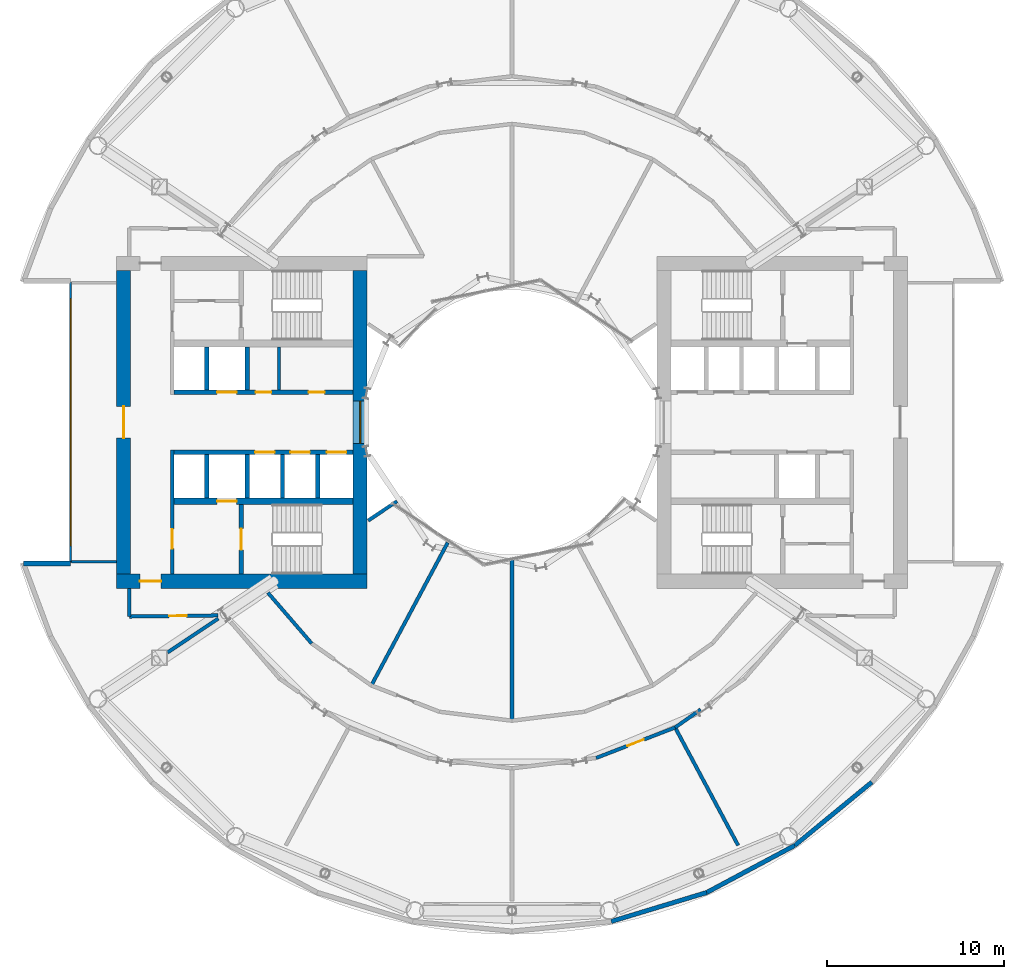
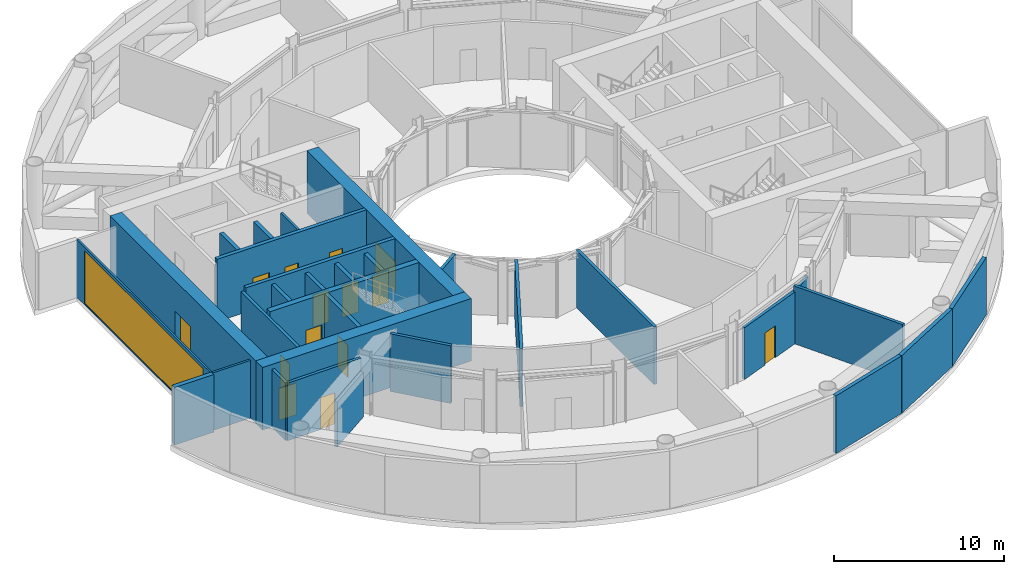
# One storey, part 10 of 15: 31 walls, 13 doors, 2 windows, 15 openings.
"""IFC4 building model written with IfcOpenShell, lengths in metres."""

import ifcopenshell
import ifcopenshell.guid

model = None  # the IFC model being written
_history = None  # IfcOwnerHistory: only IFC2X3 demands one
_inside = {}  # id of a spatial element -> (the spatial element, [elements in it])
_under = {}  # id of a project, library or spatial element -> (it, [spatial elements below it])
_declared = {}  # id of a project -> (the project, [libraries it declares])
_typed = {}  # id of a type object -> (the type object, [elements of that type])
_made_of = {}  # id of a material, layer set ... -> (it, [elements and type objects made of it])


def new_model(schema):
    """Start an empty IFC model of exactly this schema.

    Asked for "IFC4X3", IfcOpenShell would pick the latest addendum, in which some entities
    have other attributes; the version numbers below select the first issue.
    IFC2X3 requires an IfcOwnerHistory on every rooted entity: one is made here for all.
    """
    global model, _history
    if schema == "IFC4X3":
        model = ifcopenshell.file(schema_version=(4, 3, 0, 0))
    else:
        model = ifcopenshell.file(schema=schema)
    _inside.clear()
    _under.clear()
    _declared.clear()
    _typed.clear()
    _made_of.clear()
    _history = None
    if model.schema == "IFC2X3":
        org = make("IfcOrganization", Name="unknown")
        user = make(
            "IfcPersonAndOrganization",
            ThePerson=make("IfcPerson", FamilyName="unknown"),
            TheOrganization=org,
        )
        app = make(
            "IfcApplication",
            ApplicationDeveloper=org,
            Version="unknown",
            ApplicationFullName="unknown",
            ApplicationIdentifier="unknown",
        )
        _history = make(
            "IfcOwnerHistory",
            OwningUser=user,
            OwningApplication=app,
            ChangeAction="ADDED",
            CreationDate=0,
        )
    return model


def make(cls, **values):
    """One entity of the class cls with the attributes given. An attribute that is None is left unset."""
    return model.create_entity(
        cls, **{name: value for name, value in values.items() if value is not None}
    )


def rooted(cls, **values):
    """An entity with a GlobalId (a new one), such as an element, a storey or a relation."""
    return make(cls, GlobalId=ifcopenshell.guid.new(), OwnerHistory=_history, **values)


def si_unit(unit_type, name, prefix=None):
    """IfcSIUnit, for example si_unit("LENGTHUNIT", "METRE", prefix="MILLI")."""
    return make("IfcSIUnit", UnitType=unit_type, Prefix=prefix, Name=name)


def assignment(units):
    """IfcUnitAssignment: the units of a project."""
    return None if units is None else make("IfcUnitAssignment", Units=units)


def point(xyz):
    """IfcCartesianPoint."""
    return None if xyz is None else make("IfcCartesianPoint", Coordinates=xyz)


def direction(xyz):
    """IfcDirection."""
    return None if xyz is None else make("IfcDirection", DirectionRatios=xyz)


def frame(location, z_axis=None, x_axis=None):
    """IfcAxis2Placement3D, a coordinate frame: its origin and axes. An axis left out is left unset."""
    return make(
        "IfcAxis2Placement3D",
        Location=point(location),
        Axis=direction(z_axis),
        RefDirection=direction(x_axis),
    )


def frame_2d(location, x_axis=None):
    """IfcAxis2Placement2D, a coordinate frame in the plane: its origin and x axis."""
    return make(
        "IfcAxis2Placement2D", Location=point(location), RefDirection=direction(x_axis)
    )


def origin():
    """The frame at (0, 0, 0) with its axes left unset."""
    return frame((0.0, 0.0, 0.0))


def place(relative_to, where):
    """IfcLocalPlacement: puts the frame where relative to a parent placement (None: the world)."""
    return make(
        "IfcLocalPlacement", PlacementRelTo=relative_to, RelativePlacement=where
    )


def context(
    kind, dimensions, precision=None, world=None, true_north=None, identifier=None
):
    """IfcGeometricRepresentationContext, for example the 3D "Model" context."""
    return make(
        "IfcGeometricRepresentationContext",
        ContextIdentifier=identifier,
        ContextType=kind,
        CoordinateSpaceDimension=dimensions,
        Precision=precision,
        WorldCoordinateSystem=world,
        TrueNorth=true_north,
    )


def subcontext(parent, identifier, kind, view, scale=None):
    """IfcGeometricRepresentationSubContext, for example "Body" below "Model"."""
    return make(
        "IfcGeometricRepresentationSubContext",
        ContextIdentifier=identifier,
        ContextType=kind,
        ParentContext=parent,
        TargetScale=scale,
        TargetView=view,
    )


def project(units=None, contexts=None):
    """IfcProject with its units and contexts."""
    return rooted(
        "IfcProject",
        Name="project",
        RepresentationContexts=contexts,
        UnitsInContext=assignment(units),
    )


def spatial(cls, under=None, at=None, **own):
    """A site, building, storey or space (cls), placed at a placement, below another one or the project."""
    s = rooted(cls, ObjectPlacement=at, **own)
    if under is not None:
        _under.setdefault(under.id(), (under, []))[1].append(s)
    return s


def profile(cls, at=None, kind="AREA", **sizes):
    """A parametric profile (cls). Its sizes go by their IFC names, for example OverallWidth=200.0."""
    return make(cls, ProfileType=kind, Position=at, **sizes)


def rectangle(**sizes):
    """IfcRectangleProfileDef."""
    return profile("IfcRectangleProfileDef", **sizes)


def extrude(swept, where, along, depth):
    """IfcExtrudedAreaSolid: the profile swept, set in the frame where, extruded along a direction by depth."""
    return make(
        "IfcExtrudedAreaSolid",
        SweptArea=swept,
        Position=where,
        ExtrudedDirection=direction(along),
        Depth=depth,
    )


def shape(context_of_items, identifier, shape_type, items):
    """IfcShapeRepresentation: the items that make up one representation, for example the "Body"."""
    return make(
        "IfcShapeRepresentation",
        ContextOfItems=context_of_items,
        RepresentationIdentifier=identifier,
        RepresentationType=shape_type,
        Items=items,
    )


def material(Name=None, Category=None):
    """IfcMaterial."""
    return make("IfcMaterial", Name=Name, Category=Category)


def layer(
    of_material, thickness, ventilated=None, Name=None, Category=None, Priority=None
):
    """IfcMaterialLayer: one layer of a wall or slab, of a material (None: an air gap)."""
    return make(
        "IfcMaterialLayer",
        Material=of_material,
        LayerThickness=thickness,
        IsVentilated=ventilated,
        Name=Name,
        Category=Category,
        Priority=Priority,
    )


def layer_set(layers, Name=None):
    """IfcMaterialLayerSet."""
    return make("IfcMaterialLayerSet", MaterialLayers=layers, LayerSetName=Name)


def made_of(thing, what):
    """Note that an element or type object is made of a material, layer set ...; save() writes the relation."""
    if what is not None:
        _made_of.setdefault(what.id(), (what, []))[1].append(thing)
    return thing


def type_object(cls, material=None, **own):
    """A type object (cls), such as IfcWallType, which elements share."""
    return made_of(rooted(cls, **own), material)


def element(
    cls,
    number,
    at=None,
    inside=None,
    cuts=None,
    type_object=None,
    material=None,
    context=None,
    identifier="Body",
    shape_type=None,
    held_by="IfcProductDefinitionShape",
    body=None,
    shapes=None,
    **own,
):
    """One element of the class cls, such as IfcWall. Its Tag is "e" and its number.

    at: its placement. inside: the storey or other place that contains it. cuts: it is an
    opening in that element (IfcRelVoidsElement). A single representation is given by context,
    identifier, shape_type and body (its items); several are given by shapes. held_by: the class
    of the entity that holds the representations. save() writes the other relations.
    """
    e = rooted(cls, Tag="e%d" % number, ObjectPlacement=at, **own)
    if body is not None:
        shapes = [shape(context, identifier, shape_type, body)]
    if shapes is not None:
        e.Representation = make(held_by, Representations=shapes)
    if inside is not None:
        _inside.setdefault(inside.id(), (inside, []))[1].append(e)
    if cuts is not None:
        rooted(
            "IfcRelVoidsElement", RelatingBuildingElement=cuts, RelatedOpeningElement=e
        )
    if type_object is not None:
        _typed.setdefault(type_object.id(), (type_object, []))[1].append(e)
    return made_of(e, material)


def fill(opening, filler):
    """IfcRelFillsElement: the door or window that sits in an opening."""
    return rooted(
        "IfcRelFillsElement",
        RelatingOpeningElement=opening,
        RelatedBuildingElement=filler,
    )


def aggregate(whole, parts):
    """IfcRelAggregates: a whole, such as a stair, and the parts it consists of."""
    return rooted("IfcRelAggregates", RelatingObject=whole, RelatedObjects=parts)


def save(model, path):
    """Write the relations noted so far, then the file.

    IfcRelAggregates (storeys below a building ...), IfcRelContainedInSpatialStructure (elements
    in a storey), IfcRelDefinesByType, IfcRelAssociatesMaterial and IfcRelDeclares: one each for
    every whole, place, type object, material and project.
    """
    for whole, parts in _under.values():
        aggregate(whole, parts)
    for where, things in _inside.values():
        rooted(
            "IfcRelContainedInSpatialStructure",
            RelatedElements=things,
            RelatingStructure=where,
        )
    for kind, things in _typed.values():
        rooted("IfcRelDefinesByType", RelatedObjects=things, RelatingType=kind)
    for what, things in _made_of.values():
        rooted("IfcRelAssociatesMaterial", RelatedObjects=things, RelatingMaterial=what)
    for by, libraries in _declared.values():
        rooted("IfcRelDeclares", RelatingContext=by, RelatedDefinitions=libraries)
    model.write(path)


model = new_model("IFC4")

# Units and contexts
model_context = context("Model", 3, precision=1e-05, world=origin(), true_north=direction((0.0, 1.0)))
body_context = subcontext(model_context, "Body", "Model", "MODEL_VIEW")
ifc_project = project(units=[si_unit("LENGTHUNIT", "METRE"), si_unit("AREAUNIT", "SQUARE_METRE"), si_unit("VOLUMEUNIT", "CUBIC_METRE"), si_unit("PLANEANGLEUNIT", "RADIAN"), si_unit("MASSUNIT", "GRAM", prefix="KILO")], contexts=[model_context])

# Site, building, storey
site_placement = place(None, origin())
site = spatial("IfcSite", under=ifc_project, at=site_placement, CompositionType="ELEMENT")
building_placement = place(site_placement, origin())
building = spatial("IfcBuilding", under=site, at=building_placement, Name="Maasbend Ring Residences", CompositionType="ELEMENT")
storey_placement = place(building_placement, frame((0.0, 0.0, 18.300048828125)))
storey = spatial("IfcBuildingStorey", under=building, at=storey_placement, Name="L04", CompositionType="ELEMENT", Elevation=18.300048828125)

# Wall, opening, door
ifc_material_1 = material(Name="Concrete C30/37", Category="concrete")
ifc_layer_1 = layer(ifc_material_1, 0.199951171875)
ifc_layer_set_1 = layer_set([ifc_layer_1], Name="Concrete C30/37")
wall_type_1 = type_object("IfcWallType", Name="COMPARTMENT WALL 200 CONCRETE", PredefinedType="PARTITIONING", material=ifc_layer_set_1)
wall_1_placement = place(storey_placement, frame((4.761962890625, -19.012939453125, 0.0), z_axis=(0.0, 0.0, 1.0), x_axis=(0.932988479706, 0.359906233255, 0.0)))
wall_1 = element("IfcWall", 1, at=wall_1_placement, inside=storey, type_object=wall_type_1, Name="U-L04-w011", PredefinedType="PARTITIONING", context=body_context, shape_type="SweptSolid", body=[
    extrude(rectangle(XDim=4.798583984375, YDim=0.199951171875, at=frame_2d((2.3994140625, 0.0))), origin(), (0.0, 0.0, 1.0), 3.72998046875),
])
opening_1_placement = place(wall_1_placement, frame((1.89892578125, 0.0, 0.0)))
opening_1 = element("IfcOpeningElement", 2, at=opening_1_placement, cuts=wall_1, Name="Opening D-0411", PredefinedType="OPENING", context=body_context, shape_type="SweptSolid", body=[
    extrude(rectangle(XDim=1.0, YDim=2.300048828125, at=frame_2d((0.5, 1.14990234375))), frame((0.0, 0.10986328125, 0.0), z_axis=(0.0, -1.0, 0.0), x_axis=(1.0, 0.0, 0.0)), (0.0, 0.0, 1.0), 0.219970703125),
])
ifc_material_2 = material(Name="Steel, fire-rated, painted", Category="steel")
door_type_1 = type_object("IfcDoorType", Name="PLANT DOOR 1000 X 2300 FIRE-RATED", OperationType="NOTDEFINED", PredefinedType="DOOR", material=ifc_material_2)
door_1_placement = place(opening_1_placement, origin())
door_1 = element("IfcDoor", 3, at=door_1_placement, inside=storey, type_object=door_type_1, Name="D-0411", OperationType="SINGLE_SWING_LEFT", OverallHeight=2.300048828125, OverallWidth=1.0, PredefinedType="DOOR", context=body_context, shape_type="SweptSolid", body=[
    extrude(rectangle(XDim=1.0, YDim=2.300048828125, at=frame_2d((0.5, 1.14990234375))), frame((0.0, 0.02490234375, 0.0), z_axis=(0.0, -1.0, 0.0), x_axis=(1.0, 0.0, 0.0)), (0.0, 0.0, 1.0), 0.050048828125),
])
fill(opening_1, door_1)

# Walls
wall_2_placement = place(storey_placement, frame((9.239013671875, -17.285888671875, 0.0), z_axis=(0.0, 0.0, 1.0), x_axis=(0.817849682833, 0.575431921508, 0.0)))
element("IfcWall", 4, at=wall_2_placement, inside=storey, type_object=wall_type_1, Name="U-L04-w012", PredefinedType="PARTITIONING", context=body_context, shape_type="SweptSolid", body=[
    extrude(rectangle(XDim=1.7705078125, YDim=0.199951171875, at=frame_2d((0.88525390625, 0.0))), origin(), (0.0, 0.0, 1.0), 3.72998046875),
])
wall_3_placement = place(storey_placement, frame((-13.826904296875, -9.64990234375, 0.0), z_axis=(0.0, 0.0, 1.0), x_axis=(0.653220956969, -0.757167340406, 0.0)))
element("IfcWall", 5, at=wall_3_placement, inside=storey, type_object=wall_type_1, Name="U-L04-w015", PredefinedType="PARTITIONING", context=body_context, shape_type="SweptSolid", body=[
    extrude(rectangle(XDim=3.793212890625, YDim=0.199951171875, at=frame_2d((1.896484375, 0.0))), origin(), (0.0, 0.0, 1.0), 4.14990234375),
])

# Wall, opening, door
wall_4_placement = place(storey_placement, frame((-21.675048828125, -11.0, 0.0), z_axis=(0.0, 0.0, 1.0), x_axis=(0.999924074118, 0.012322580895, 0.0)))
wall_4 = element("IfcWall", 6, at=wall_4_placement, inside=storey, type_object=wall_type_1, Name="U-L04-w023", PredefinedType="PARTITIONING", context=body_context, shape_type="SweptSolid", body=[
    extrude(rectangle(XDim=5.032470703125, YDim=0.199951171875, at=frame_2d((2.51611328125, 0.0))), origin(), (0.0, 0.0, 1.0), 4.14990234375),
])
opening_2_placement = place(wall_4_placement, frame((2.25, 0.0, 0.0)))
opening_2 = element("IfcOpeningElement", 7, at=opening_2_placement, cuts=wall_4, Name="Opening D-0417", PredefinedType="OPENING", context=body_context, shape_type="SweptSolid", body=[
    extrude(rectangle(XDim=1.0, YDim=2.300048828125, at=frame_2d((0.5, 1.14990234375))), frame((0.0, 0.10986328125, 0.0), z_axis=(0.0, -1.0, 0.0), x_axis=(1.0, 0.0, 0.0)), (0.0, 0.0, 1.0), 0.219970703125),
])
door_2_placement = place(opening_2_placement, origin())
door_2 = element("IfcDoor", 8, at=door_2_placement, inside=storey, type_object=door_type_1, Name="D-0417", OperationType="SINGLE_SWING_RIGHT", OverallHeight=2.300048828125, OverallWidth=1.0, PredefinedType="DOOR", context=body_context, shape_type="SweptSolid", body=[
    extrude(rectangle(XDim=1.0, YDim=2.300048828125, at=frame_2d((0.5, 1.14990234375))), frame((0.0, 0.02490234375, 0.0), z_axis=(0.0, -1.0, 0.0), x_axis=(1.0, 0.0, 0.0)), (0.0, 0.0, 1.0), 0.050048828125),
])
fill(opening_2, door_2)

# Walls
wall_5_placement = place(storey_placement, frame((-7.966064453125, -14.905029296875, 0.0), z_axis=(0.0, 0.0, 1.0), x_axis=(0.471460365694, 0.881887251059, 0.0)))
element("IfcWall", 9, at=wall_5_placement, inside=storey, type_object=wall_type_1, Name="U-L04-w032", PredefinedType="PARTITIONING", context=body_context, shape_type="SweptSolid", body=[
    extrude(rectangle(XDim=9.18017578125, YDim=0.199951171875, at=frame_2d((4.590087890625, 0.0))), origin(), (0.0, 0.0, 1.0), 4.14990234375),
])
wall_6_placement = place(storey_placement, frame((0.0, -16.89990234375, 0.0), z_axis=(0.0, 0.0, 1.0), x_axis=(0.0, 1.0, 0.0)))
element("IfcWall", 10, at=wall_6_placement, inside=storey, type_object=wall_type_1, Name="U-L04-w034", PredefinedType="PARTITIONING", context=body_context, shape_type="SweptSolid", body=[
    extrude(rectangle(XDim=9.179931640625, YDim=0.199951171875, at=frame_2d((4.58984375, 0.0))), origin(), (0.0, 0.0, 1.0), 4.14990234375),
])
wall_7_placement = place(storey_placement, frame((9.239013671875, -17.285888671875, 0.0), z_axis=(0.0, 0.0, 1.0), x_axis=(0.471439510802, -0.881898399848, 0.0)))
element("IfcWall", 11, at=wall_7_placement, inside=storey, type_object=wall_type_1, Name="U-L04-w039", PredefinedType="PARTITIONING", context=body_context, shape_type="SweptSolid", body=[
    extrude(rectangle(XDim=7.57470703125, YDim=0.199951171875, at=frame_2d((3.787353515625, 0.0))), origin(), (0.0, 0.0, 1.0), 4.14990234375),
])
wall_8_placement = place(storey_placement, frame((-19.5048828125, -13.032958984375, 0.0), z_axis=(0.0, 0.0, 1.0), x_axis=(0.831331256958, 0.555777240632, 0.0)))
element("IfcWall", 12, at=wall_8_placement, inside=storey, type_object=wall_type_1, Name="U-L04-w041", PredefinedType="PARTITIONING", context=body_context, shape_type="SweptSolid", body=[
    extrude(rectangle(XDim=3.450927734375, YDim=0.199951171875, at=frame_2d((1.7255859375, 0.0))), origin(), (0.0, 0.0, 1.0), 3.22998046875),
])
wall_9_placement = place(storey_placement, frame((-21.675048828125, -11.0, 0.0), z_axis=(0.0, 0.0, 1.0), x_axis=(0.0, 1.0, 0.0)))
element("IfcWall", 13, at=wall_9_placement, inside=storey, type_object=wall_type_1, Name="U-L04-w068", PredefinedType="PARTITIONING", context=body_context, shape_type="SweptSolid", body=[
    extrude(rectangle(XDim=1.60009765625, YDim=0.199951171875, at=frame_2d((0.800048828125, 0.0))), origin(), (0.0, 0.0, 1.0), 4.14990234375),
])

# Wall, openings, doors
ifc_material_3 = material(Name="Concrete C70/85", Category="concrete")
ifc_layer_2 = layer(ifc_material_3, 0.25)
ifc_layer_set_2 = layer_set([ifc_layer_2], Name="Concrete C70/85")
wall_type_2 = type_object("IfcWallType", Name="CORE WALL 250 C70/85", PredefinedType="SHEAR", material=ifc_layer_set_2)
wall_10_placement = place(storey_placement, frame((-9.0, -1.699951171875, 0.0), z_axis=(0.0, 0.0, 1.0), x_axis=(-1.0, 0.0, 0.0)))
wall_10 = element("IfcWall", 14, at=wall_10_placement, inside=storey, type_object=wall_type_2, Name="L04 core W wall SPN", PredefinedType="SHEAR", context=body_context, shape_type="SweptSolid", body=[
    extrude(rectangle(XDim=10.14990234375, YDim=0.25, at=frame_2d((5.074951171875, 0.0))), origin(), (0.0, 0.0, 1.0), 4.5),
])
opening_3_placement = place(wall_10_placement, frame((0.387451171875, 0.0, 0.0)))
opening_3 = element("IfcOpeningElement", 15, at=opening_3_placement, cuts=wall_10, Name="Opening LD-W0401", PredefinedType="OPENING", context=body_context, shape_type="SweptSolid", body=[
    extrude(rectangle(XDim=1.10009765625, YDim=2.300048828125, at=frame_2d((0.550048828125, 1.14990234375))), frame((0.0, 0.135009765625, 0.0), z_axis=(0.0, -1.0, 0.0), x_axis=(1.0, 0.0, 0.0)), (0.0, 0.0, 1.0), 0.27001953125),
])
opening_4_placement = place(wall_10_placement, frame((2.449951171875, 0.0, 0.0)))
opening_4 = element("IfcOpeningElement", 16, at=opening_4_placement, cuts=wall_10, Name="Opening LD-W0402", PredefinedType="OPENING", context=body_context, shape_type="SweptSolid", body=[
    extrude(rectangle(XDim=1.10009765625, YDim=2.300048828125, at=frame_2d((0.550048828125, 1.14990234375))), frame((0.0, 0.135009765625, 0.0), z_axis=(0.0, -1.0, 0.0), x_axis=(1.0, 0.0, 0.0)), (0.0, 0.0, 1.0), 0.27001953125),
])
opening_5_placement = place(wall_10_placement, frame((4.449951171875, 0.0, 0.0)))
opening_5 = element("IfcOpeningElement", 17, at=opening_5_placement, cuts=wall_10, Name="Opening LD-W0403", PredefinedType="OPENING", context=body_context, shape_type="SweptSolid", body=[
    extrude(rectangle(XDim=1.10009765625, YDim=2.300048828125, at=frame_2d((0.550048828125, 1.14990234375))), frame((0.0, 0.135009765625, 0.0), z_axis=(0.0, -1.0, 0.0), x_axis=(1.0, 0.0, 0.0)), (0.0, 0.0, 1.0), 0.27001953125),
])
ifc_material_4 = material(Name="Stainless steel 316", Category="steel")
door_type_2 = type_object("IfcDoorType", Name="LANDING DOOR 1100 X 2300 FD60", OperationType="DOUBLE_DOOR_SLIDING", PredefinedType="DOOR", material=ifc_material_4)
door_3_placement = place(opening_3_placement, origin())
door_3 = element("IfcDoor", 18, at=door_3_placement, inside=storey, type_object=door_type_2, Name="Landing door LR-W1 L04", OperationType="DOUBLE_DOOR_SLIDING", OverallHeight=2.300048828125, OverallWidth=1.10009765625, PredefinedType="DOOR", context=body_context, shape_type="SweptSolid", body=[
    extrude(rectangle(XDim=1.10009765625, YDim=2.300048828125, at=frame_2d((0.550048828125, 1.14990234375))), frame((0.0, 0.02490234375, 0.0), z_axis=(0.0, -1.0, 0.0), x_axis=(1.0, 0.0, 0.0)), (0.0, 0.0, 1.0), 0.050048828125),
])
fill(opening_3, door_3)
door_4_placement = place(opening_4_placement, origin())
door_4 = element("IfcDoor", 19, at=door_4_placement, inside=storey, type_object=door_type_2, Name="Landing door LR-W2 L04", OperationType="DOUBLE_DOOR_SLIDING", OverallHeight=2.300048828125, OverallWidth=1.10009765625, PredefinedType="DOOR", context=body_context, shape_type="SweptSolid", body=[
    extrude(rectangle(XDim=1.10009765625, YDim=2.300048828125, at=frame_2d((0.550048828125, 1.14990234375))), frame((0.0, 0.02490234375, 0.0), z_axis=(0.0, -1.0, 0.0), x_axis=(1.0, 0.0, 0.0)), (0.0, 0.0, 1.0), 0.050048828125),
])
fill(opening_4, door_4)
door_5_placement = place(opening_5_placement, origin())
door_5 = element("IfcDoor", 20, at=door_5_placement, inside=storey, type_object=door_type_2, Name="Landing door LR-W3 L04", OperationType="DOUBLE_DOOR_SLIDING", OverallHeight=2.300048828125, OverallWidth=1.10009765625, PredefinedType="DOOR", context=body_context, shape_type="SweptSolid", body=[
    extrude(rectangle(XDim=1.10009765625, YDim=2.300048828125, at=frame_2d((0.550048828125, 1.14990234375))), frame((0.0, 0.02490234375, 0.0), z_axis=(0.0, -1.0, 0.0), x_axis=(1.0, 0.0, 0.0)), (0.0, 0.0, 1.0), 0.050048828125),
])
fill(opening_5, door_5)

# Wall, opening, door
wall_11_placement = place(storey_placement, frame((-15.324951171875, -4.64990234375, 0.0), z_axis=(0.0, 0.0, 1.0), x_axis=(0.0, -1.0, 0.0)))
wall_11 = element("IfcWall", 21, at=wall_11_placement, inside=storey, type_object=wall_type_2, Name="L04 core W wall STEN", PredefinedType="SHEAR", context=body_context, shape_type="SweptSolid", body=[
    extrude(rectangle(XDim=3.9501953125, YDim=0.25, at=frame_2d((1.97509765625, 0.0))), origin(), (0.0, 0.0, 1.0), 4.5),
])
opening_6_placement = place(wall_11_placement, frame((1.375, 0.0, 0.0)))
opening_6 = element("IfcOpeningElement", 22, at=opening_6_placement, cuts=wall_11, Name="Opening D-W0409", PredefinedType="OPENING", context=body_context, shape_type="SweptSolid", body=[
    extrude(rectangle(XDim=1.199951171875, YDim=2.300048828125, at=frame_2d((0.60009765625, 1.14990234375))), frame((0.0, 0.135009765625, 0.0), z_axis=(0.0, -1.0, 0.0), x_axis=(1.0, 0.0, 0.0)), (0.0, 0.0, 1.0), 0.27001953125),
])
ifc_material_5 = material(Name="Steel, powder coated", Category="steel")
door_type_3 = type_object("IfcDoorType", Name="STAIR DOOR 1200 X 2300 FD60", OperationType="NOTDEFINED", PredefinedType="DOOR", material=ifc_material_5)
door_6_placement = place(opening_6_placement, origin())
door_6 = element("IfcDoor", 23, at=door_6_placement, inside=storey, type_object=door_type_3, Name="Stair door ST-W L04", OperationType="SINGLE_SWING_LEFT", OverallHeight=2.300048828125, OverallWidth=1.199951171875, PredefinedType="DOOR", context=body_context, shape_type="SweptSolid", body=[
    extrude(rectangle(XDim=1.199951171875, YDim=2.300048828125, at=frame_2d((0.60009765625, 1.14990234375))), frame((0.0, 0.02490234375, 0.0), z_axis=(0.0, -1.0, 0.0), x_axis=(1.0, 0.0, 0.0)), (0.0, 0.0, 1.0), 0.050048828125),
])
fill(opening_6, door_6)

# Wall, openings, doors
wall_12_placement = place(storey_placement, frame((-19.14990234375, 1.699951171875, 0.0), z_axis=(0.0, 0.0, 1.0), x_axis=(1.0, 0.0, 0.0)))
wall_12 = element("IfcWall", 24, at=wall_12_placement, inside=storey, type_object=wall_type_2, Name="L04 core W wall SPS", PredefinedType="SHEAR", context=body_context, shape_type="SweptSolid", body=[
    extrude(rectangle(XDim=10.14990234375, YDim=0.25, at=frame_2d((5.074951171875, 0.0))), origin(), (0.0, 0.0, 1.0), 4.5),
])
opening_7_placement = place(wall_12_placement, frame((2.449951171875, 0.0, 0.0)))
opening_7 = element("IfcOpeningElement", 25, at=opening_7_placement, cuts=wall_12, Name="Opening LD-W0405", PredefinedType="OPENING", context=body_context, shape_type="SweptSolid", body=[
    extrude(rectangle(XDim=1.10009765625, YDim=2.300048828125, at=frame_2d((0.550048828125, 1.14990234375))), frame((0.0, 0.135009765625, 0.0), z_axis=(0.0, -1.0, 0.0), x_axis=(1.0, 0.0, 0.0)), (0.0, 0.0, 1.0), 0.27001953125),
])
opening_8_placement = place(wall_12_placement, frame((7.637451171875, 0.0, 0.0)))
opening_8 = element("IfcOpeningElement", 26, at=opening_8_placement, cuts=wall_12, Name="Opening D-W0406", PredefinedType="OPENING", context=body_context, shape_type="SweptSolid", body=[
    extrude(rectangle(XDim=0.89990234375, YDim=2.300048828125, at=frame_2d((0.449951171875, 1.14990234375))), frame((0.0, 0.135009765625, 0.0), z_axis=(0.0, -1.0, 0.0), x_axis=(1.0, 0.0, 0.0)), (0.0, 0.0, 1.0), 0.27001953125),
])
opening_9_placement = place(wall_12_placement, frame((4.625, 0.0, 0.0)))
opening_9 = element("IfcOpeningElement", 27, at=opening_9_placement, cuts=wall_12, Name="Opening D-W0407", PredefinedType="OPENING", context=body_context, shape_type="SweptSolid", body=[
    extrude(rectangle(XDim=0.89990234375, YDim=2.300048828125, at=frame_2d((0.449951171875, 1.14990234375))), frame((0.0, 0.135009765625, 0.0), z_axis=(0.0, -1.0, 0.0), x_axis=(1.0, 0.0, 0.0)), (0.0, 0.0, 1.0), 0.27001953125),
])
door_7_placement = place(opening_7_placement, origin())
door_7 = element("IfcDoor", 28, at=door_7_placement, inside=storey, type_object=door_type_2, Name="Landing door SV-W L04", OperationType="DOUBLE_DOOR_SLIDING", OverallHeight=2.300048828125, OverallWidth=1.10009765625, PredefinedType="DOOR", context=body_context, shape_type="SweptSolid", body=[
    extrude(rectangle(XDim=1.10009765625, YDim=2.300048828125, at=frame_2d((0.550048828125, 1.14990234375))), frame((0.0, 0.02490234375, 0.0), z_axis=(0.0, -1.0, 0.0), x_axis=(1.0, 0.0, 0.0)), (0.0, 0.0, 1.0), 0.050048828125),
])
fill(opening_7, door_7)
ifc_material_6 = material(Name="Steel, powder coated", Category="steel")
door_type_4 = type_object("IfcDoorType", Name="ROOM DOOR 900 X 2300 FD30S", OperationType="NOTDEFINED", PredefinedType="DOOR", material=ifc_material_6)
door_8_placement = place(opening_8_placement, origin())
door_8 = element("IfcDoor", 29, at=door_8_placement, inside=storey, type_object=door_type_4, Name="Room door L04", OperationType="SINGLE_SWING_LEFT", OverallHeight=2.300048828125, OverallWidth=0.89990234375, PredefinedType="DOOR", context=body_context, shape_type="SweptSolid", body=[
    extrude(rectangle(XDim=0.89990234375, YDim=2.300048828125, at=frame_2d((0.449951171875, 1.14990234375))), frame((0.0, 0.02490234375, 0.0), z_axis=(0.0, -1.0, 0.0), x_axis=(1.0, 0.0, 0.0)), (0.0, 0.0, 1.0), 0.050048828125),
])
fill(opening_8, door_8)
door_9_placement = place(opening_9_placement, origin())
door_9 = element("IfcDoor", 30, at=door_9_placement, inside=storey, type_object=door_type_4, Name="Room door L04", OperationType="SINGLE_SWING_LEFT", OverallHeight=2.300048828125, OverallWidth=0.89990234375, PredefinedType="DOOR", context=body_context, shape_type="SweptSolid", body=[
    extrude(rectangle(XDim=0.89990234375, YDim=2.300048828125, at=frame_2d((0.449951171875, 1.14990234375))), frame((0.0, 0.02490234375, 0.0), z_axis=(0.0, -1.0, 0.0), x_axis=(1.0, 0.0, 0.0)), (0.0, 0.0, 1.0), 0.050048828125),
])
fill(opening_9, door_9)

# Wall, opening, door
ifc_material_7 = material(Name="Concrete C70/85", Category="concrete")
ifc_layer_3 = layer(ifc_material_7, 0.375)
ifc_layer_set_3 = layer_set([ifc_layer_3], Name="Concrete C70/85")
wall_type_3 = type_object("IfcWallType", Name="CORE WALL 375 C70/85", PredefinedType="SHEAR", material=ifc_layer_set_3)
wall_13_placement = place(storey_placement, frame((-9.0, -4.46240234375, 0.0), z_axis=(0.0, 0.0, 1.0), x_axis=(-1.0, 0.0, 0.0)))
wall_13 = element("IfcWall", 31, at=wall_13_placement, inside=storey, type_object=wall_type_3, Name="L04 core W wall BN", PredefinedType="SHEAR", context=body_context, shape_type="SweptSolid", body=[
    extrude(rectangle(XDim=10.14990234375, YDim=0.375, at=frame_2d((5.074951171875, 0.0))), origin(), (0.0, 0.0, 1.0), 4.5),
])
opening_10_placement = place(wall_13_placement, frame((6.60009765625, 0.0, 0.0)))
opening_10 = element("IfcOpeningElement", 32, at=opening_10_placement, cuts=wall_13, Name="Opening LD-W0404", PredefinedType="OPENING", context=body_context, shape_type="SweptSolid", body=[
    extrude(rectangle(XDim=1.10009765625, YDim=2.300048828125, at=frame_2d((0.550048828125, 1.14990234375))), frame((0.0, 0.197509765625, 0.0), z_axis=(0.0, -1.0, 0.0), x_axis=(1.0, 0.0, 0.0)), (0.0, 0.0, 1.0), 0.39501953125),
])
door_10_placement = place(opening_10_placement, origin())
door_10 = element("IfcDoor", 33, at=door_10_placement, inside=storey, type_object=door_type_2, Name="Landing door FF-W L04", OperationType="DOUBLE_DOOR_SLIDING", OverallHeight=2.300048828125, OverallWidth=1.10009765625, PredefinedType="DOOR", context=body_context, shape_type="SweptSolid", body=[
    extrude(rectangle(XDim=1.10009765625, YDim=2.300048828125, at=frame_2d((0.550048828125, 1.14990234375))), frame((0.0, 0.02490234375, 0.0), z_axis=(0.0, -1.0, 0.0), x_axis=(1.0, 0.0, 0.0)), (0.0, 0.0, 1.0), 0.050048828125),
])
fill(opening_10, door_10)

ifc_material_8 = material(Name="Concrete C70/85", Category="concrete")
ifc_layer_4 = layer(ifc_material_8, 0.800048828125)
ifc_layer_set_4 = layer_set([ifc_layer_4], Name="Concrete C70/85")
wall_type_4 = type_object("IfcWallType", Name="CORE WALL 800 C70/85", PredefinedType="SHEAR", material=ifc_layer_set_4)
wall_14_placement = place(storey_placement, frame((-22.39990234375, -9.0, 0.0), z_axis=(0.0, 0.0, 1.0), x_axis=(1.0, 0.0, 0.0)))
wall_14 = element("IfcWall", 34, at=wall_14_placement, inside=storey, type_object=wall_type_4, Name="L04 core W wall PN", PredefinedType="SHEAR", context=body_context, shape_type="SweptSolid", body=[
    extrude(rectangle(XDim=14.199951171875, YDim=0.800048828125, at=frame_2d((7.10009765625, 0.0))), origin(), (0.0, 0.0, 1.0), 4.5),
])
opening_11_placement = place(wall_14_placement, frame((1.324951171875, 0.0, 0.0)))
opening_11 = element("IfcOpeningElement", 35, at=opening_11_placement, cuts=wall_14, Name="Opening D-W0413", PredefinedType="OPENING", context=body_context, shape_type="SweptSolid", body=[
    extrude(rectangle(XDim=1.199951171875, YDim=2.300048828125, at=frame_2d((0.60009765625, 1.14990234375))), frame((0.0, 0.41015625, 0.0), z_axis=(0.0, -1.0, 0.0), x_axis=(1.0, 0.0, 0.0)), (0.0, 0.0, 1.0), 0.820068359375),
])
ifc_material_9 = material(Name="Steel, powder coated", Category="steel")
door_type_5 = type_object("IfcDoorType", Name="CORRIDOR DOOR 1200 X 2300 FD30S", OperationType="NOTDEFINED", PredefinedType="DOOR", material=ifc_material_9)
door_11_placement = place(opening_11_placement, origin())
door_11 = element("IfcDoor", 36, at=door_11_placement, inside=storey, type_object=door_type_5, Name="Corridor door L04", OperationType="SINGLE_SWING_RIGHT", OverallHeight=2.300048828125, OverallWidth=1.199951171875, PredefinedType="DOOR", context=body_context, shape_type="SweptSolid", body=[
    extrude(rectangle(XDim=1.199951171875, YDim=2.300048828125, at=frame_2d((0.60009765625, 1.14990234375))), frame((0.0, 0.02490234375, 0.0), z_axis=(0.0, -1.0, 0.0), x_axis=(1.0, 0.0, 0.0)), (0.0, 0.0, 1.0), 0.050048828125),
])
fill(opening_11, door_11)

wall_15_placement = place(storey_placement, frame((-22.0, -8.60009765625, 0.0), z_axis=(0.0, 0.0, 1.0), x_axis=(0.0, 1.0, 0.0)))
wall_15 = element("IfcWall", 37, at=wall_15_placement, inside=storey, type_object=wall_type_4, Name="L04 core W wall POUT", PredefinedType="SHEAR", context=body_context, shape_type="SweptSolid", body=[
    extrude(rectangle(XDim=17.2001953125, YDim=0.800048828125, at=frame_2d((8.60009765625, 0.0))), origin(), (0.0, 0.0, 1.0), 4.5),
])
opening_12_placement = place(wall_15_placement, frame((7.699951171875, 0.0, 0.0)))
opening_12 = element("IfcOpeningElement", 38, at=opening_12_placement, cuts=wall_15, Name="Opening D-W0415", PredefinedType="OPENING", context=body_context, shape_type="SweptSolid", body=[
    extrude(rectangle(XDim=1.800048828125, YDim=2.300048828125, at=frame_2d((0.89990234375, 1.14990234375))), frame((0.0, 0.41015625, 0.0), z_axis=(0.0, -1.0, 0.0), x_axis=(1.0, 0.0, 0.0)), (0.0, 0.0, 1.0), 0.820068359375),
])
ifc_material_10 = material(Name="Aluminium frame, clear glass", Category="aluminium")
door_type_6 = type_object("IfcDoorType", Name="ENTRANCE DOOR 1800 X 2300 FD60", OperationType="NOTDEFINED", PredefinedType="DOOR", material=ifc_material_10)
door_12_placement = place(opening_12_placement, origin())
door_12 = element("IfcDoor", 39, at=door_12_placement, inside=storey, type_object=door_type_6, Name="Lobby glazed door L04", OperationType="SINGLE_SWING_LEFT", OverallHeight=2.300048828125, OverallWidth=1.800048828125, PredefinedType="DOOR", context=body_context, shape_type="SweptSolid", body=[
    extrude(rectangle(XDim=1.800048828125, YDim=2.300048828125, at=frame_2d((0.89990234375, 1.14990234375))), frame((0.0, 0.02490234375, 0.0), z_axis=(0.0, -1.0, 0.0), x_axis=(1.0, 0.0, 0.0)), (0.0, 0.0, 1.0), 0.050048828125),
])
fill(opening_12, door_12)

# Wall, opening, window
wall_16_placement = place(storey_placement, frame((-8.60009765625, 8.60009765625, 0.0), z_axis=(0.0, 0.0, 1.0), x_axis=(0.0, -1.0, 0.0)))
wall_16 = element("IfcWall", 40, at=wall_16_placement, inside=storey, type_object=wall_type_4, Name="L04 core W wall PIN", PredefinedType="SHEAR", context=body_context, shape_type="SweptSolid", body=[
    extrude(rectangle(XDim=17.2001953125, YDim=0.800048828125, at=frame_2d((8.60009765625, 0.0))), origin(), (0.0, 0.0, 1.0), 4.5),
])
opening_13_placement = place(wall_16_placement, frame((7.39990234375, 0.0, 0.10009765625)))
opening_13 = element("IfcOpeningElement", 41, at=opening_13_placement, cuts=wall_16, Name="Opening W-W0401", PredefinedType="OPENING", context=body_context, shape_type="SweptSolid", body=[
    extrude(rectangle(XDim=2.39990234375, YDim=2.199951171875, at=frame_2d((1.199951171875, 1.10009765625))), frame((0.0, 0.41015625, 0.0), z_axis=(0.0, -1.0, 0.0), x_axis=(1.0, 0.0, 0.0)), (0.0, 0.0, 1.0), 0.820068359375),
])
ifc_material_11 = material(Name="Aluminium frame and clear glass", Category="aluminium")
window_type_1 = type_object("IfcWindowType", Name="FIXED WINDOW 2400 X 2200", PartitioningType="SINGLE_PANEL", PredefinedType="WINDOW", material=ifc_material_11)
window_1_placement = place(opening_13_placement, origin())
window_1 = element("IfcWindow", 42, at=window_1_placement, inside=storey, type_object=window_type_1, Name="Lobby window L04", OverallHeight=2.199951171875, OverallWidth=2.39990234375, PartitioningType="SINGLE_PANEL", PredefinedType="WINDOW", context=body_context, shape_type="SweptSolid", body=[
    extrude(rectangle(XDim=2.39990234375, YDim=2.199951171875, at=frame_2d((1.199951171875, 1.10009765625))), frame((0.0, 0.030029296875, 0.0), z_axis=(0.0, -1.0, 0.0), x_axis=(1.0, 0.0, 0.0)), (0.0, 0.0, 1.0), 0.06005859375),
])
fill(opening_13, window_1)

# Walls
ifc_material_12 = material(Name="Louvred aluminium panel", Category="aluminium")
ifc_layer_5 = layer(ifc_material_12, 0.25)
ifc_layer_set_5 = layer_set([ifc_layer_5], Name="EW-LV")
wall_type_5 = type_object("IfcWallType", Name="EW-LV", PredefinedType="SOLIDWALL", material=ifc_layer_set_5)
wall_17_placement = place(storey_placement, frame((5.623046875, -28.27099609375, 0.0), z_axis=(0.0, 0.0, 1.0), x_axis=(0.956969521741, 0.29018844646, 0.0)))
element("IfcWall", 43, at=wall_17_placement, inside=storey, type_object=wall_type_5, Name="External wall S07", PredefinedType="SOLIDWALL", context=body_context, shape_type="SweptSolid", body=[
    extrude(rectangle(XDim=5.651123046875, YDim=0.25, at=frame_2d((2.82568359375, 0.0))), origin(), (0.0, 0.0, 1.0), 4.14990234375),
])
wall_18_placement = place(storey_placement, frame((11.031005859375, -26.631103515625, 0.0), z_axis=(0.0, 0.0, 1.0), x_axis=(0.881874058161, 0.471485042756, 0.0)))
element("IfcWall", 44, at=wall_18_placement, inside=storey, type_object=wall_type_5, Name="External wall S08", PredefinedType="SOLIDWALL", context=body_context, shape_type="SweptSolid", body=[
    extrude(rectangle(XDim=5.650390625, YDim=0.25, at=frame_2d((2.8251953125, 0.0))), origin(), (0.0, 0.0, 1.0), 4.14990234375),
])
wall_19_placement = place(storey_placement, frame((16.013916015625, -23.967041015625, 0.0), z_axis=(0.0, 0.0, 1.0), x_axis=(0.773001659186, 0.634403999748, 0.0)))
element("IfcWall", 45, at=wall_19_placement, inside=storey, type_object=wall_type_5, Name="External wall S09", PredefinedType="SOLIDWALL", context=body_context, shape_type="SweptSolid", body=[
    extrude(rectangle(XDim=5.65087890625, YDim=0.25, at=frame_2d((2.825439453125, 0.0))), origin(), (0.0, 0.0, 1.0), 4.14990234375),
])
ifc_material_13 = material(Name="Aluminium clad insulated panel", Category="aluminium")
ifc_layer_6 = layer(ifc_material_13, 0.300048828125)
ifc_layer_set_6 = layer_set([ifc_layer_6], Name="EW-RET")
wall_type_6 = type_object("IfcWallType", Name="EW-RET", PredefinedType="SOLIDWALL", material=ifc_layer_set_6)
wall_20_placement = place(storey_placement, frame((-25.0, -8.0, 0.0), z_axis=(0.0, 0.0, 1.0), x_axis=(-1.0, 0.0, 0.0)))
element("IfcWall", 46, at=wall_20_placement, inside=storey, type_object=wall_type_6, Name="Notch return wall west south", PredefinedType="SOLIDWALL", context=body_context, shape_type="SweptSolid", body=[
    extrude(rectangle(XDim=2.6669921875, YDim=0.300048828125, at=frame_2d((1.33349609375, 0.0))), origin(), (0.0, 0.0, 1.0), 4.14990234375),
])

# Wall, opening, window
ifc_material_14 = material(Name="Aluminium frame and clear glass", Category="aluminium")
ifc_layer_7 = layer(ifc_material_14, 0.1201171875)
ifc_layer_set_7 = layer_set([ifc_layer_7], Name="GLAZED SCREEN WALL 120 EI 60")
wall_type_7 = type_object("IfcWallType", Name="GLAZED SCREEN WALL 120 EI 60", PredefinedType="PARTITIONING", material=ifc_layer_set_7)
wall_21_placement = place(storey_placement, frame((-25.0, 7.949951171875, 0.0), z_axis=(0.0, 0.0, 1.0), x_axis=(0.0, -1.0, 0.0)))
wall_21 = element("IfcWall", 47, at=wall_21_placement, inside=storey, type_object=wall_type_7, Name="L04 core W wall FACE", PredefinedType="PARTITIONING", context=body_context, shape_type="SweptSolid", body=[
    extrude(rectangle(XDim=15.89990234375, YDim=0.1201171875, at=frame_2d((7.949951171875, 0.0))), origin(), (0.0, 0.0, 1.0), 4.14990234375),
])
opening_14_placement = place(wall_21_placement, frame((0.949951171875, 0.0, 0.10009765625)))
opening_14 = element("IfcOpeningElement", 48, at=opening_14_placement, cuts=wall_21, Name="Opening W-W0402", PredefinedType="OPENING", context=body_context, shape_type="SweptSolid", body=[
    extrude(rectangle(XDim=14.0, YDim=3.800048828125, at=frame_2d((7.0, 1.89990234375))), frame((0.0, 0.070068359375, 0.0), z_axis=(0.0, -1.0, 0.0), x_axis=(1.0, 0.0, 0.0)), (0.0, 0.0, 1.0), 0.14013671875),
])
ifc_material_15 = material(Name="Aluminium frame and clear glass", Category="aluminium")
window_type_2 = type_object("IfcWindowType", Name="FIXED WINDOW 14000 X 3800", PartitioningType="SINGLE_PANEL", PredefinedType="WINDOW", material=ifc_material_15)
window_2_placement = place(opening_14_placement, origin())
window_2 = element("IfcWindow", 49, at=window_2_placement, inside=storey, type_object=window_type_2, Name="Lobby window L04", OverallHeight=3.800048828125, OverallWidth=14.0, PartitioningType="SINGLE_PANEL", PredefinedType="WINDOW", context=body_context, shape_type="SweptSolid", body=[
    extrude(rectangle(XDim=14.0, YDim=3.800048828125, at=frame_2d((7.0, 1.89990234375))), frame((0.0, 0.030029296875, 0.0), z_axis=(0.0, -1.0, 0.0), x_axis=(1.0, 0.0, 0.0)), (0.0, 0.0, 1.0), 0.06005859375),
])
fill(opening_14, window_2)

# Walls
ifc_material_16 = material(Name="Gypsum board on steel studs", Category="steel")
ifc_layer_8 = layer(ifc_material_16, 0.14990234375)
ifc_layer_set_8 = layer_set([ifc_layer_8], Name="PARTITION 150 EI 60")
wall_type_8 = type_object("IfcWallType", Name="PARTITION 150 EI 60", PredefinedType="PARTITIONING", material=ifc_layer_set_8)
wall_22_placement = place(storey_placement, frame((-13.199951171875, 1.824951171875, 0.0), z_axis=(0.0, 0.0, 1.0), x_axis=(0.0, 1.0, 0.0)))
element("IfcWall", 50, at=wall_22_placement, inside=storey, type_object=wall_type_8, Name="L04 core W wall PRS1320", PredefinedType="PARTITIONING", context=body_context, shape_type="SweptSolid", body=[
    extrude(rectangle(XDim=2.449951171875, YDim=0.14990234375, at=frame_2d((1.22509765625, 0.0))), origin(), (0.0, 0.0, 1.0), 4.14990234375),
])
wall_23_placement = place(storey_placement, frame((-22.39990234375, -7.89990234375, 0.0), z_axis=(0.0, 0.0, 1.0), x_axis=(-1.0, 0.0, 0.0)))
element("IfcWall", 51, at=wall_23_placement, inside=storey, type_object=wall_type_8, Name="L04 core W wall CITN", PredefinedType="PARTITIONING", context=body_context, shape_type="SweptSolid", body=[
    extrude(rectangle(XDim=2.5400390625, YDim=0.14990234375, at=frame_2d((1.27001953125, 0.0))), origin(), (0.0, 0.0, 1.0), 4.14990234375),
])
ifc_material_17 = material(Name="Concrete C30/37", Category="concrete")
ifc_layer_9 = layer(ifc_material_17, 0.199951171875)
ifc_layer_set_9 = layer_set([ifc_layer_9], Name="Concrete C30/37")
wall_type_9 = type_object("IfcWallType", Name="PARTY WALL 200 CONCRETE", PredefinedType="PARTITIONING", material=ifc_layer_set_9)
wall_24_placement = place(storey_placement, frame((-6.512939453125, -4.471923828125, 0.0), z_axis=(0.0, 0.0, 1.0), x_axis=(-0.831417956244, -0.555647533996, 0.0)))
element("IfcWall", 52, at=wall_24_placement, inside=storey, type_object=wall_type_9, Name="U-L04-w025", PredefinedType="PARTITIONING", context=body_context, shape_type="SweptSolid", body=[
    extrude(rectangle(XDim=1.9619140625, YDim=0.199951171875, at=frame_2d((0.98095703125, 0.0))), origin(), (0.0, 0.0, 1.0), 4.14990234375),
])

# Wall, opening, door
ifc_material_18 = material(Name="Concrete C30/37", Category="concrete")
ifc_layer_10 = layer(ifc_material_18, 0.199951171875)
ifc_layer_set_10 = layer_set([ifc_layer_10], Name="Concrete C30/37")
wall_type_10 = type_object("IfcWallType", Name="SHAFT WALL 200 EI 120", PredefinedType="SOLIDWALL", material=ifc_layer_set_10)
wall_25_placement = place(storey_placement, frame((-19.25, -1.574951171875, 0.0), z_axis=(0.0, 0.0, 1.0), x_axis=(0.0, -1.0, 0.0)))
wall_25 = element("IfcWall", 53, at=wall_25_placement, inside=storey, type_object=wall_type_10, Name="L04 core W wall ENDN", PredefinedType="SOLIDWALL", context=body_context, shape_type="SweptSolid", body=[
    extrude(rectangle(XDim=7.025146484375, YDim=0.199951171875, at=frame_2d((3.5126953125, 0.0))), origin(), (0.0, 0.0, 1.0), 4.14990234375),
])
opening_15_placement = place(wall_25_placement, frame((4.47509765625, 0.0, 0.0)))
opening_15 = element("IfcOpeningElement", 54, at=opening_15_placement, cuts=wall_25, Name="Opening D-W0411", PredefinedType="OPENING", context=body_context, shape_type="SweptSolid", body=[
    extrude(rectangle(XDim=1.10009765625, YDim=2.300048828125, at=frame_2d((0.550048828125, 1.14990234375))), frame((0.0, 0.10986328125, 0.0), z_axis=(0.0, -1.0, 0.0), x_axis=(1.0, 0.0, 0.0)), (0.0, 0.0, 1.0), 0.219970703125),
])
ifc_material_19 = material(Name="Steel, powder coated", Category="steel")
door_type_7 = type_object("IfcDoorType", Name="LOBBY DOOR 1100 X 2300 FD60", OperationType="NOTDEFINED", PredefinedType="DOOR", material=ifc_material_19)
door_13_placement = place(opening_15_placement, origin())
door_13 = element("IfcDoor", 55, at=door_13_placement, inside=storey, type_object=door_type_7, Name="Lobby door L04", OperationType="SINGLE_SWING_LEFT", OverallHeight=2.300048828125, OverallWidth=1.10009765625, PredefinedType="DOOR", context=body_context, shape_type="SweptSolid", body=[
    extrude(rectangle(XDim=1.10009765625, YDim=2.300048828125, at=frame_2d((0.550048828125, 1.14990234375))), frame((0.0, 0.02490234375, 0.0), z_axis=(0.0, -1.0, 0.0), x_axis=(1.0, 0.0, 0.0)), (0.0, 0.0, 1.0), 0.050048828125),
])
fill(opening_15, door_13)

# Walls
ifc_material_20 = material(Name="Concrete C30/37", Category="concrete")
ifc_layer_11 = layer(ifc_material_20, 0.25)
ifc_layer_set_11 = layer_set([ifc_layer_11], Name="Concrete C30/37")
wall_type_11 = type_object("IfcWallType", Name="SHAFT WALL 250 EI 120", PredefinedType="SOLIDWALL", material=ifc_layer_set_11)
for number, where, z_axis, x_axis, name in (
    (56, (-15.0, -1.824951171875, 0.0), (0.0, 0.0, 1.0), (0.0, -1.0, 0.0), "L04 core W wall D150N"),
    (57, (-17.300048828125, -1.824951171875, 0.0), (0.0, 0.0, 1.0), (0.0, -1.0, 0.0), "L04 core W wall D173N"),
    (58, (-15.0, 1.824951171875, 0.0), (0.0, 0.0, 1.0), (0.0, 1.0, 0.0), "L04 core W wall D150S"),
    (59, (-17.300048828125, 1.824951171875, 0.0), (0.0, 0.0, 1.0), (0.0, 1.0, 0.0), "L04 core W wall D173S"),
    (60, (-11.0, -1.824951171875, 0.0), (0.0, 0.0, 1.0), (0.0, -1.0, 0.0), "L04 core W wall D110N"),
    (61, (-13.0, -1.824951171875, 0.0), (0.0, 0.0, 1.0), (0.0, -1.0, 0.0), "L04 core W wall D130N"),
):
    element("IfcWall", number, at=place(storey_placement, frame(where, z_axis=z_axis, x_axis=x_axis)), inside=storey, type_object=wall_type_11, Name=name, PredefinedType="SOLIDWALL", context=body_context, shape_type="SweptSolid", body=[
        extrude(rectangle(XDim=2.449951171875, YDim=0.25, at=frame_2d((1.22509765625, 0.0))), origin(), (0.0, 0.0, 1.0), 4.14990234375),
    ])

save(model, "model.ifc")
